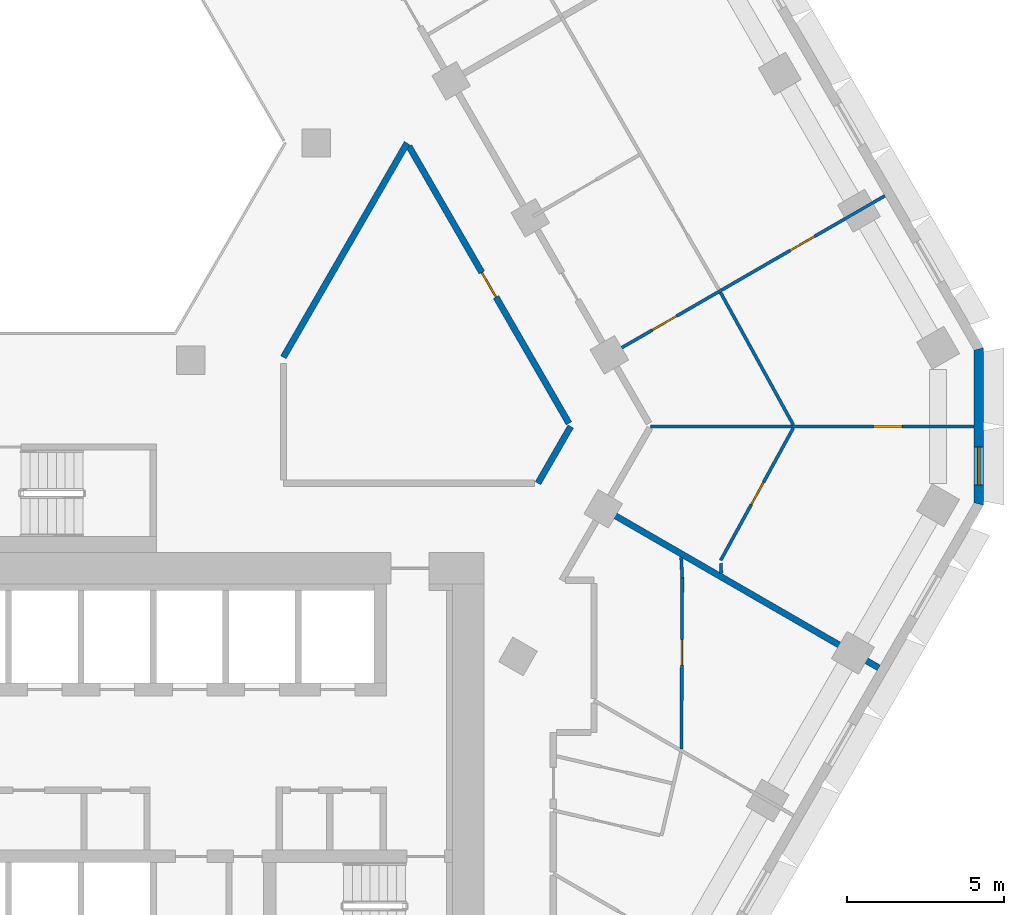
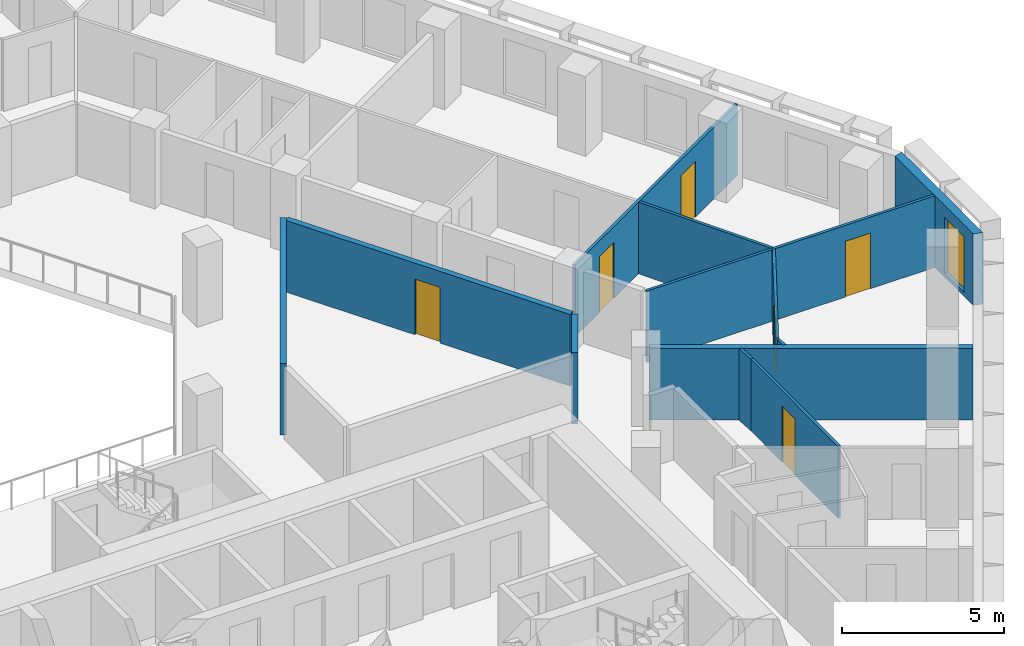
# One storey, part 7 of 16: 12 walls, 6 doors, 1 window, 7 openings.
"""IFC4 building model written with IfcOpenShell, lengths in metres."""

from ifc_helpers import new_model, si_unit, direction, frame, frame_2d, origin, place, context, subcontext, project, spatial, polyline, rectangle, outline, extrude, material, layer, layer_set, type_object, element, fill, save


model = new_model("IFC4")

# Units and contexts
model_context = context("Model", 3, precision=1e-05, world=origin(), true_north=direction((0.0, 1.0)))
body_context = subcontext(model_context, "Body", "Model", "MODEL_VIEW")
ifc_project = project(units=[si_unit("LENGTHUNIT", "METRE"), si_unit("AREAUNIT", "SQUARE_METRE"), si_unit("VOLUMEUNIT", "CUBIC_METRE"), si_unit("PLANEANGLEUNIT", "RADIAN"), si_unit("MASSUNIT", "GRAM", prefix="KILO")], contexts=[model_context])

# Site, building, storey
site_placement = place(None, origin())
site = spatial("IfcSite", under=ifc_project, at=site_placement, CompositionType="ELEMENT")
building_placement = place(site_placement, origin())
building = spatial("IfcBuilding", under=site, at=building_placement, Name="Beryl Residences", CompositionType="ELEMENT")
storey_placement = place(building_placement, frame((0.0, 0.0, 90.0)))
storey = spatial("IfcBuildingStorey", under=building, at=storey_placement, Name="L27", CompositionType="ELEMENT", Elevation=90.0)

# Wall, opening, window
ifc_material_1 = material(Name="Composite metal panel with mineral wool insulation")
ifc_layer_1 = layer(ifc_material_1, 0.300048828125)
ifc_layer_set_1 = layer_set([ifc_layer_1], Name="ES1 pale metal composite panel wall 300 mm")
wall_type_1 = type_object("IfcWallType", Name="ES1 pale metal composite panel wall 300 mm", PredefinedType="SOLIDWALL", material=ifc_layer_set_1)
wall_1_placement = place(storey_placement, frame((29.007080078125, -3.5, 0.0), z_axis=(0.0, 0.0, 1.0), x_axis=(0.0, 1.0, 0.0)))
wall_1 = element("IfcWall", 1, at=wall_1_placement, inside=storey, type_object=wall_type_1, Name="ES1 external wall L27 SE-NE", PredefinedType="SOLIDWALL", context=body_context, shape_type="SweptSolid", body=[
    extrude(outline(polyline([(0.0, -0.14990234375), (5.0, -0.14990234375), (4.919677734375, 0.14990234375), (0.080322265625, 0.14990234375), (0.0, -0.14990234375)])), origin(), (0.0, 0.0, 1.0), 2.699951171875),
])
opening_1_placement = place(wall_1_placement, frame((0.64990234375, 0.0, 0.14990234375)))
opening_1 = element("IfcOpeningElement", 2, at=opening_1_placement, cuts=wall_1, Name="Opening W2", PredefinedType="OPENING", context=body_context, shape_type="SweptSolid", body=[
    extrude(rectangle(XDim=1.199951171875, YDim=2.10009765625, at=frame_2d((0.60009765625, 1.050048828125))), frame((0.0, 0.159912109375, 0.0), z_axis=(0.0, -1.0, 0.0), x_axis=(1.0, 0.0, 0.0)), (0.0, 0.0, 1.0), 0.320068359375),
])
ifc_material_2 = material(Name="Aluminium and clear glass", Category="aluminium")
window_type = type_object("IfcWindowType", Name="W2 chamfer window 1200 x 2100 mm", PartitioningType="SINGLE_PANEL", PredefinedType="WINDOW", material=ifc_material_2)
window_placement = place(opening_1_placement, origin())
window = element("IfcWindow", 3, at=window_placement, inside=storey, type_object=window_type, Name="W2 window L27 SE-NE 1", OverallHeight=2.10009765625, OverallWidth=1.199951171875, PartitioningType="SINGLE_PANEL", PredefinedType="WINDOW", context=body_context, shape_type="SweptSolid", body=[
    extrude(rectangle(XDim=1.199951171875, YDim=2.10009765625, at=frame_2d((0.60009765625, 1.050048828125))), frame((0.0, 0.030029296875, 0.0), z_axis=(0.0, -1.0, 0.0), x_axis=(1.0, 0.0, 0.0)), (0.0, 0.0, 1.0), 0.06005859375),
])
fill(opening_1, window)

# Walls
ifc_material_3 = material(Name="Gypsum board partition on steel studs", Category="steel")
ifc_layer_2 = layer(ifc_material_3, 0.10009765625)
ifc_layer_set_2 = layer_set([ifc_layer_2], Name="PT1 partition 100 mm gypsum board on steel studs")
wall_type_2 = type_object("IfcWallType", Name="PT1 partition 100 mm gypsum board on steel studs", PredefinedType="PARTITIONING", material=ifc_layer_set_2)
wall_2_placement = place(storey_placement, frame((20.806884765625, 3.2548828125, 0.0), z_axis=(0.0, 0.0, 1.0), x_axis=(0.481604009855, -0.876388942018, 0.0)))
element("IfcWall", 4, at=wall_2_placement, inside=storey, type_object=wall_type_2, Name="Wall PT1 L27 004", PredefinedType="PARTITIONING", context=body_context, shape_type="SweptSolid", body=[
    extrude(rectangle(XDim=4.794677734375, YDim=0.10009765625, at=frame_2d((2.3974609375, 0.0))), origin(), (0.0, 0.0, 1.0), 2.699951171875),
])
wall_3_placement = place(storey_placement, frame((19.55810546875, -5.156005859375, 0.0), z_axis=(0.0, 0.0, 1.0), x_axis=(0.04980880462, -0.998758771167, 0.0)))
element("IfcWall", 5, at=wall_3_placement, inside=storey, type_object=wall_type_2, Name="Wall PT1 L27 008", PredefinedType="PARTITIONING", context=body_context, shape_type="SweptSolid", body=[
    extrude(rectangle(XDim=0.66162109375, YDim=0.10009765625, at=frame_2d((0.330810546875, 0.0))), origin(), (0.0, 0.0, 1.0), 2.699951171875),
])
wall_4_placement = place(storey_placement, frame((20.81591796875, -5.343017578125, 0.0), z_axis=(0.0, 0.0, 1.0), x_axis=(0.050626241319, -0.998717669659, 0.0)))
element("IfcWall", 6, at=wall_4_placement, inside=storey, type_object=wall_type_2, Name="Wall PT1 L27 009", PredefinedType="PARTITIONING", context=body_context, shape_type="SweptSolid", body=[
    extrude(rectangle(XDim=0.318359375, YDim=0.10009765625, at=frame_2d((0.1591796875, 0.0))), origin(), (0.0, 0.0, 1.0), 2.699951171875),
])

# Wall, opening, door
wall_5_placement = place(storey_placement, frame((18.591064453125, -0.9990234375, 0.0), z_axis=(0.0, 0.0, 1.0), x_axis=(1.0, 0.0, 0.0)))
wall_5 = element("IfcWall", 7, at=wall_5_placement, inside=storey, type_object=wall_type_2, Name="Wall PT1 L27 027", PredefinedType="PARTITIONING", context=body_context, shape_type="SweptSolid", body=[
    extrude(rectangle(XDim=10.265869140625, YDim=0.10009765625, at=frame_2d((5.1328125, 0.0))), origin(), (0.0, 0.0, 1.0), 2.699951171875),
])
opening_2_placement = place(wall_5_placement, frame((7.0791015625, 0.0, 0.0)))
opening_2 = element("IfcOpeningElement", 8, at=opening_2_placement, cuts=wall_5, Name="Opening D0921", PredefinedType="OPENING", context=body_context, shape_type="SweptSolid", body=[
    extrude(rectangle(XDim=0.89990234375, YDim=2.10009765625, at=frame_2d((0.449951171875, 1.050048828125))), frame((0.0, 0.06005859375, 0.0), z_axis=(0.0, -1.0, 0.0), x_axis=(1.0, 0.0, 0.0)), (0.0, 0.0, 1.0), 0.1201171875),
])
ifc_material_4 = material(Name="Timber door leaf", Category="wood")
door_type_1 = type_object("IfcDoorType", Name="D2 room door 900 x 2100 mm", OperationType="SINGLE_SWING_LEFT", PredefinedType="DOOR", material=ifc_material_4)
door_1_placement = place(opening_2_placement, origin())
door_1 = element("IfcDoor", 9, at=door_1_placement, inside=storey, type_object=door_type_1, Name="Door D0921 L27 001", OperationType="SINGLE_SWING_LEFT", OverallHeight=2.10009765625, OverallWidth=0.89990234375, PredefinedType="DOOR", context=body_context, shape_type="SweptSolid", body=[
    extrude(rectangle(XDim=0.89990234375, YDim=2.10009765625, at=frame_2d((0.449951171875, 1.050048828125))), frame((0.0, 0.02490234375, 0.0), z_axis=(0.0, -1.0, 0.0), x_axis=(1.0, 0.0, 0.0)), (0.0, 0.0, 1.0), 0.050048828125),
])
fill(opening_2, door_1)

wall_6_placement = place(storey_placement, frame((20.81201171875, -5.248046875, 0.0), z_axis=(0.0, 0.0, 1.0), x_axis=(0.481196609449, 0.876612698434, 0.0)))
wall_6 = element("IfcWall", 10, at=wall_6_placement, inside=storey, type_object=wall_type_2, Name="Wall PT1 L27 040", PredefinedType="PARTITIONING", context=body_context, shape_type="SweptSolid", body=[
    extrude(rectangle(XDim=4.7900390625, YDim=0.10009765625, at=frame_2d((2.39501953125, 0.0))), origin(), (0.0, 0.0, 1.0), 2.699951171875),
])
opening_3_placement = place(wall_6_placement, frame((2.02294921875, 0.0, 0.0)))
opening_3 = element("IfcOpeningElement", 11, at=opening_3_placement, cuts=wall_6, Name="Opening D0922", PredefinedType="OPENING", context=body_context, shape_type="SweptSolid", body=[
    extrude(rectangle(XDim=0.800048828125, YDim=2.10009765625, at=frame_2d((0.39990234375, 1.050048828125))), frame((0.0, 0.06005859375, 0.0), z_axis=(0.0, -1.0, 0.0), x_axis=(1.0, 0.0, 0.0)), (0.0, 0.0, 1.0), 0.1201171875),
])
ifc_material_5 = material(Name="Timber door leaf", Category="wood")
door_type_2 = type_object("IfcDoorType", Name="D3 bathroom door 800 x 2100 mm", OperationType="SINGLE_SWING_LEFT", PredefinedType="DOOR", material=ifc_material_5)
door_2_placement = place(opening_3_placement, origin())
door_2 = element("IfcDoor", 12, at=door_2_placement, inside=storey, type_object=door_type_2, Name="Door D0922 L27 001", OperationType="SINGLE_SWING_RIGHT", OverallHeight=2.10009765625, OverallWidth=0.800048828125, PredefinedType="DOOR", context=body_context, shape_type="SweptSolid", body=[
    extrude(rectangle(XDim=0.800048828125, YDim=2.10009765625, at=frame_2d((0.39990234375, 1.050048828125))), frame((0.0, 0.02490234375, 0.0), z_axis=(0.0, -1.0, 0.0), x_axis=(1.0, 0.0, 0.0)), (0.0, 0.0, 1.0), 0.050048828125),
])
fill(opening_3, door_2)

wall_7_placement = place(storey_placement, frame((19.56591796875, -11.238037109375, 0.0), z_axis=(0.0, 0.0, 1.0), x_axis=(0.004638545009, 0.999989241892, 0.0)))
wall_7 = element("IfcWall", 13, at=wall_7_placement, inside=storey, type_object=wall_type_2, Name="Wall PT1 L27 046", PredefinedType="PARTITIONING", context=body_context, shape_type="SweptSolid", body=[
    extrude(rectangle(XDim=5.421142578125, YDim=0.10009765625, at=frame_2d((2.71044921875, 0.0))), origin(), (0.0, 0.0, 1.0), 2.699951171875),
])
opening_4_placement = place(wall_7_placement, frame((2.672119140625, 0.0, 0.0)))
opening_4 = element("IfcOpeningElement", 14, at=opening_4_placement, cuts=wall_7, Name="Opening D0915", PredefinedType="OPENING", context=body_context, shape_type="SweptSolid", body=[
    extrude(rectangle(XDim=0.800048828125, YDim=2.10009765625, at=frame_2d((0.39990234375, 1.050048828125))), frame((0.0, 0.06005859375, 0.0), z_axis=(0.0, -1.0, 0.0), x_axis=(1.0, 0.0, 0.0)), (0.0, 0.0, 1.0), 0.1201171875),
])
door_3_placement = place(opening_4_placement, origin())
door_3 = element("IfcDoor", 15, at=door_3_placement, inside=storey, type_object=door_type_2, Name="Door D0915 L27 001", OperationType="SINGLE_SWING_LEFT", OverallHeight=2.10009765625, OverallWidth=0.800048828125, PredefinedType="DOOR", context=body_context, shape_type="SweptSolid", body=[
    extrude(rectangle(XDim=0.800048828125, YDim=2.10009765625, at=frame_2d((0.39990234375, 1.050048828125))), frame((0.0, 0.02490234375, 0.0), z_axis=(0.0, -1.0, 0.0), x_axis=(1.0, 0.0, 0.0)), (0.0, 0.0, 1.0), 0.050048828125),
])
fill(opening_4, door_3)

# Wall, openings, doors
wall_8_placement = place(storey_placement, frame((17.364990234375, 1.324951171875, 0.0), z_axis=(0.0, 0.0, 1.0), x_axis=(0.866016855193, 0.500014806302, 0.0)))
wall_8 = element("IfcWall", 16, at=wall_8_placement, inside=storey, type_object=wall_type_2, Name="Wall PT1 L27 060", PredefinedType="PARTITIONING", context=body_context, shape_type="SweptSolid", body=[
    extrude(rectangle(XDim=9.999755859375, YDim=0.10009765625, at=frame_2d((5.0, 0.0))), origin(), (0.0, 0.0, 1.0), 2.699951171875),
])
opening_5_placement = place(wall_8_placement, frame((1.47412109375, 0.0, 0.0)))
opening_5 = element("IfcOpeningElement", 17, at=opening_5_placement, cuts=wall_8, Name="Opening D0919", PredefinedType="OPENING", context=body_context, shape_type="SweptSolid", body=[
    extrude(rectangle(XDim=0.89990234375, YDim=2.10009765625, at=frame_2d((0.449951171875, 1.050048828125))), frame((0.0, 0.06005859375, 0.0), z_axis=(0.0, -1.0, 0.0), x_axis=(1.0, 0.0, 0.0)), (0.0, 0.0, 1.0), 0.1201171875),
])
opening_6_placement = place(wall_8_placement, frame((6.52392578125, 0.0, 0.0)))
opening_6 = element("IfcOpeningElement", 18, at=opening_6_placement, cuts=wall_8, Name="Opening D0920", PredefinedType="OPENING", context=body_context, shape_type="SweptSolid", body=[
    extrude(rectangle(XDim=0.89990234375, YDim=2.10009765625, at=frame_2d((0.449951171875, 1.050048828125))), frame((0.0, 0.06005859375, 0.0), z_axis=(0.0, -1.0, 0.0), x_axis=(1.0, 0.0, 0.0)), (0.0, 0.0, 1.0), 0.1201171875),
])
door_4_placement = place(opening_5_placement, origin())
door_4 = element("IfcDoor", 19, at=door_4_placement, inside=storey, type_object=door_type_1, Name="Door D0919 L27 001", OperationType="SINGLE_SWING_LEFT", OverallHeight=2.10009765625, OverallWidth=0.89990234375, PredefinedType="DOOR", context=body_context, shape_type="SweptSolid", body=[
    extrude(rectangle(XDim=0.89990234375, YDim=2.10009765625, at=frame_2d((0.449951171875, 1.050048828125))), frame((0.0, 0.02490234375, 0.0), z_axis=(0.0, -1.0, 0.0), x_axis=(1.0, 0.0, 0.0)), (0.0, 0.0, 1.0), 0.050048828125),
])
fill(opening_5, door_4)
door_5_placement = place(opening_6_placement, origin())
door_5 = element("IfcDoor", 20, at=door_5_placement, inside=storey, type_object=door_type_1, Name="Door D0920 L27 001", OperationType="SINGLE_SWING_RIGHT", OverallHeight=2.10009765625, OverallWidth=0.89990234375, PredefinedType="DOOR", context=body_context, shape_type="SweptSolid", body=[
    extrude(rectangle(XDim=0.89990234375, YDim=2.10009765625, at=frame_2d((0.449951171875, 1.050048828125))), frame((0.0, 0.02490234375, 0.0), z_axis=(0.0, -1.0, 0.0), x_axis=(1.0, 0.0, 0.0)), (0.0, 0.0, 1.0), 0.050048828125),
])
fill(opening_6, door_5)

# Wall
ifc_material_6 = material(Name="Acoustic double stud gypsum board wall")
ifc_layer_3 = layer(ifc_material_6, 0.199951171875)
ifc_layer_set_3 = layer_set([ifc_layer_3], Name="PT3 party wall 200 mm acoustic double stud")
wall_type_3 = type_object("IfcWallType", Name="PT3 party wall 200 mm acoustic double stud", PredefinedType="PARTITIONING", material=ifc_layer_set_3)
wall_9_placement = place(storey_placement, frame((17.1689453125, -3.662109375, 0.0), z_axis=(0.0, 0.0, 1.0), x_axis=(0.866047370643, -0.499961950354, 0.0)))
element("IfcWall", 21, at=wall_9_placement, inside=storey, type_object=wall_type_3, Name="Wall PT3 L27 004", PredefinedType="PARTITIONING", context=body_context, shape_type="SweptSolid", body=[
    extrude(rectangle(XDim=10.000732421875, YDim=0.199951171875, at=frame_2d((5.00048828125, 0.0))), origin(), (0.0, 0.0, 1.0), 2.699951171875),
])

# Wall, opening, door
ifc_material_7 = material(Name="Double stud gypsum board wall")
ifc_layer_4 = layer(ifc_material_7, 0.199951171875)
ifc_layer_set_4 = layer_set([ifc_layer_4], Name="PT4 corridor wall 200 mm double stud")
wall_type_4 = type_object("IfcWallType", Name="PT4 corridor wall 200 mm double stud", PredefinedType="PARTITIONING", material=ifc_layer_set_4)
wall_10_placement = place(storey_placement, frame((10.9130859375, 7.89892578125, 0.0), z_axis=(0.0, 0.0, 1.0), x_axis=(0.500028940566, -0.866008694296, 0.0)))
wall_10 = element("IfcWall", 22, at=wall_10_placement, inside=storey, type_object=wall_type_4, Name="Wall PT4 L27 005", PredefinedType="PARTITIONING", context=body_context, shape_type="SweptSolid", body=[
    extrude(rectangle(XDim=10.1591796875, YDim=0.199951171875, at=frame_2d((5.07958984375, 0.0))), origin(), (0.0, 0.0, 1.0), 2.699951171875),
])
opening_7_placement = place(wall_10_placement, frame((4.6298828125, 0.0, 0.0)))
opening_7 = element("IfcOpeningElement", 23, at=opening_7_placement, cuts=wall_10, Name="Opening D0963", PredefinedType="OPENING", context=body_context, shape_type="SweptSolid", body=[
    extrude(rectangle(XDim=0.89990234375, YDim=2.10009765625, at=frame_2d((0.449951171875, 1.050048828125))), frame((0.0, 0.10986328125, 0.0), z_axis=(0.0, -1.0, 0.0), x_axis=(1.0, 0.0, 0.0)), (0.0, 0.0, 1.0), 0.219970703125),
])
door_6_placement = place(opening_7_placement, origin())
door_6 = element("IfcDoor", 24, at=door_6_placement, inside=storey, type_object=door_type_1, Name="Door D0963 L27 001", OperationType="SINGLE_SWING_LEFT", OverallHeight=2.10009765625, OverallWidth=0.89990234375, PredefinedType="DOOR", context=body_context, shape_type="SweptSolid", body=[
    extrude(rectangle(XDim=0.89990234375, YDim=2.10009765625, at=frame_2d((0.449951171875, 1.050048828125))), frame((0.0, 0.02490234375, 0.0), z_axis=(0.0, -1.0, 0.0), x_axis=(1.0, 0.0, 0.0)), (0.0, 0.0, 1.0), 0.050048828125),
])
fill(opening_7, door_6)

# Walls
wall_11_placement = place(storey_placement, frame((6.927978515625, 1.199951171875, 0.0), z_axis=(0.0, 0.0, 1.0), x_axis=(0.500055327065, 0.865993458332, 0.0)))
element("IfcWall", 25, at=wall_11_placement, inside=storey, type_object=wall_type_4, Name="Wall PT4 L27 023", PredefinedType="PARTITIONING", context=body_context, shape_type="SweptSolid", body=[
    extrude(rectangle(XDim=7.85107421875, YDim=0.199951171875, at=frame_2d((3.925537109375, 0.0))), origin(), (0.0, 0.0, 1.0), 2.699951171875),
])
wall_12_placement = place(storey_placement, frame((15.010986328125, -2.800048828125, 0.0), z_axis=(0.0, 0.0, 1.0), x_axis=(0.499929208183, 0.866066271601, 0.0)))
element("IfcWall", 26, at=wall_12_placement, inside=storey, type_object=wall_type_4, Name="Wall PT4 L27 024", PredefinedType="PARTITIONING", context=body_context, shape_type="SweptSolid", body=[
    extrude(rectangle(XDim=2.078369140625, YDim=0.199951171875, at=frame_2d((1.0390625, 0.0))), origin(), (0.0, 0.0, 1.0), 2.699951171875),
])

save(model, "model.ifc")
